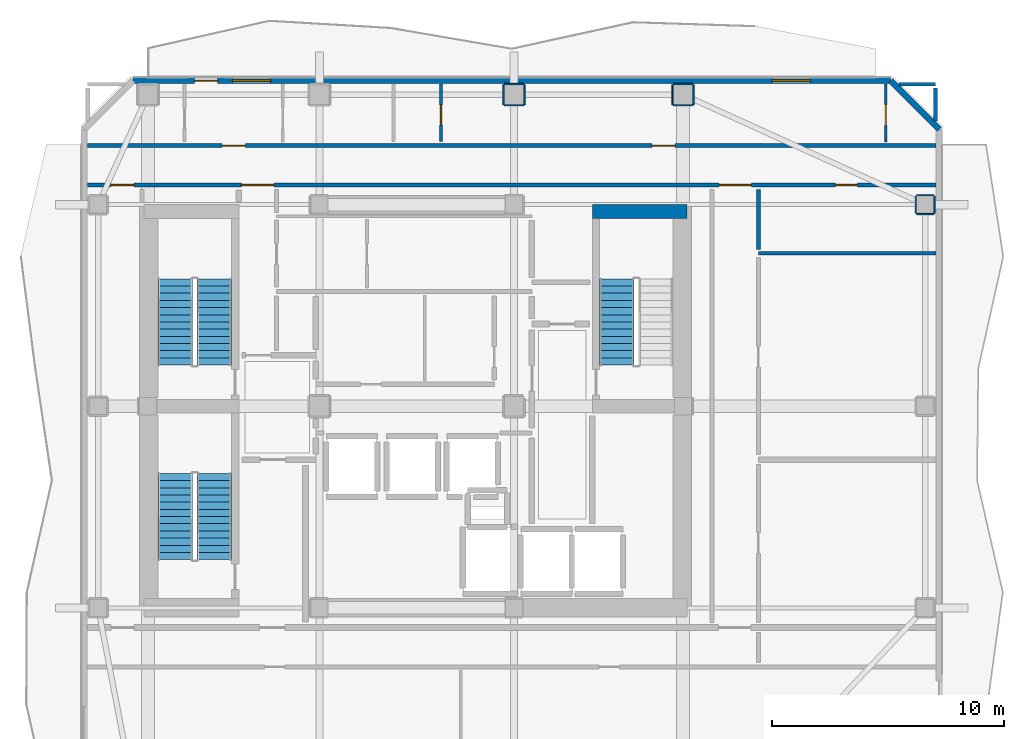
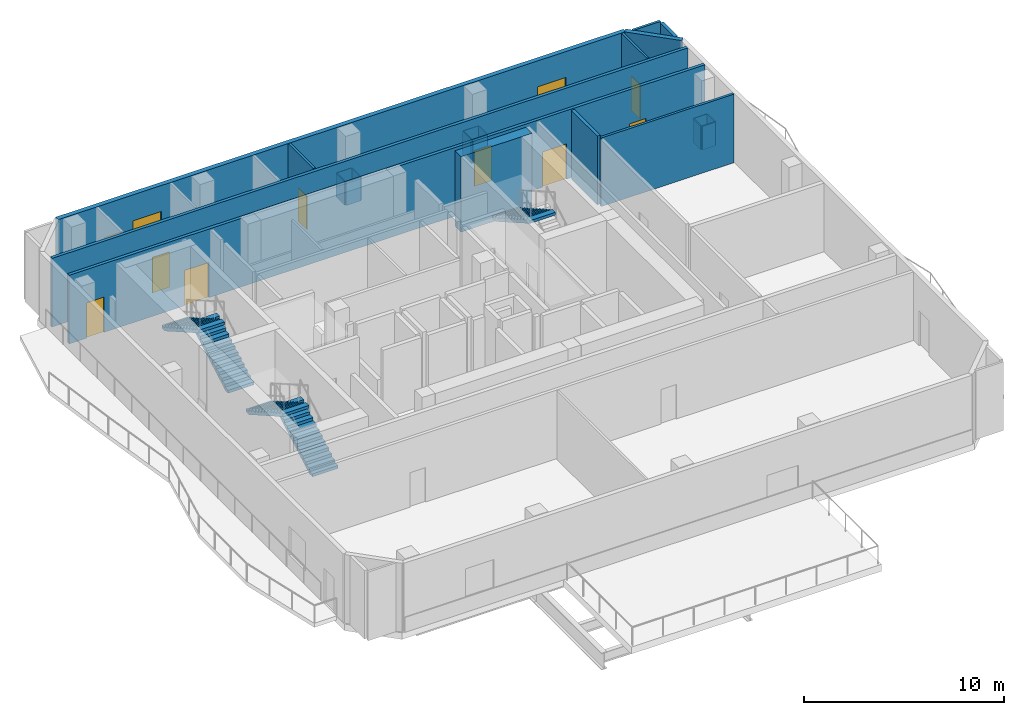
# One storey, part 5 of 10: 23 walls, 9 doors, 5 stair flights, 2 windows, 11 openings, 3 elements without a shape of their own.
"""IFC4 building model written with IfcOpenShell, lengths in metres."""

from ifc_helpers import new_model, si_unit, direction, frame, frame_2d, origin, place, context, subcontext, project, spatial, polyline, rectangle, outline, extrude, material, layer, layer_set, type_object, element, fill, aggregate, save


model = new_model("IFC4")

# Units and contexts
model_context = context("Model", 3, precision=1e-05, world=origin(), true_north=direction((0.0, 1.0)))
body_context = subcontext(model_context, "Body", "Model", "MODEL_VIEW")
ifc_project = project(units=[si_unit("LENGTHUNIT", "METRE"), si_unit("AREAUNIT", "SQUARE_METRE"), si_unit("VOLUMEUNIT", "CUBIC_METRE"), si_unit("PLANEANGLEUNIT", "RADIAN"), si_unit("MASSUNIT", "GRAM", prefix="KILO")], contexts=[model_context])

# Site, building, storey
site_placement = place(None, origin())
site = spatial("IfcSite", under=ifc_project, at=site_placement, CompositionType="ELEMENT")
building_placement = place(site_placement, origin())
building = spatial("IfcBuilding", under=site, at=building_placement, Name="Solanera Arch Residences", CompositionType="ELEMENT")
storey_placement = place(building_placement, frame((0.0, 0.0, 226.679931640625)))
storey = spatial("IfcBuildingStorey", under=building, at=storey_placement, Name="L66", CompositionType="ELEMENT", Elevation=226.679931640625)

# Walls
ifc_material_1 = material(Name="Fire-Rated Gypsum Stud Partition", Category="gypsum")
ifc_layer_1 = layer(ifc_material_1, 0.06005859375)
ifc_layer_set_1 = layer_set([ifc_layer_1], Name="Fire-Rated Gypsum Stud Partition")
wall_type_1 = type_object("IfcWallType", Name="Column Acoustic Furring Wall 60", PredefinedType="PARTITIONING", material=ifc_layer_set_1)
for number, where, z_axis, x_axis, name in (
    (1, (28.77490234375, 43.693115234375, 0.0), (0.0, 0.0, 1.0), (1.0, 0.0, 0.0), "L66 Column Furring 14S"),
    (2, (28.77490234375, 44.60693359375, 0.0), (0.0, 0.0, 1.0), (1.0, 0.0, 0.0), "L66 Column Furring 14N"),
):
    element("IfcWall", number, at=place(storey_placement, frame(where, z_axis=z_axis, x_axis=x_axis)), inside=storey, type_object=wall_type_1, Name=name, PredefinedType="PARTITIONING", context=body_context, shape_type="SweptSolid", body=[
        extrude(rectangle(XDim=0.85009765625, YDim=0.06005859375, at=frame_2d((0.425048828125, 0.0))), origin(), (0.0, 0.0, 1.0), 1.449951171875),
    ])
for number, where, z_axis, x_axis, name in (
    (3, (28.742919921875, 43.72509765625, 0.0), (0.0, 0.0, 1.0), (0.0, 1.0, 0.0), "L66 Column Furring 14W"),
    (4, (29.656982421875, 43.72509765625, 0.0), (0.0, 0.0, 1.0), (0.0, 1.0, 0.0), "L66 Column Furring 14E"),
):
    element("IfcWall", number, at=place(storey_placement, frame(where, z_axis=z_axis, x_axis=x_axis)), inside=storey, type_object=wall_type_1, Name=name, PredefinedType="PARTITIONING", context=body_context, shape_type="SweptSolid", body=[
        extrude(rectangle(XDim=0.849853515625, YDim=0.06005859375, at=frame_2d((0.4248046875, 0.0))), origin(), (0.0, 0.0, 1.0), 1.449951171875),
    ])
for number, where, z_axis, x_axis, name in (
    (5, (36.074951171875, 43.693115234375, 0.0), (0.0, 0.0, 1.0), (1.0, 0.0, 0.0), "L66 Column Furring 16S"),
    (6, (36.074951171875, 44.60693359375, 0.0), (0.0, 0.0, 1.0), (1.0, 0.0, 0.0), "L66 Column Furring 16N"),
):
    element("IfcWall", number, at=place(storey_placement, frame(where, z_axis=z_axis, x_axis=x_axis)), inside=storey, type_object=wall_type_1, Name=name, PredefinedType="PARTITIONING", context=body_context, shape_type="SweptSolid", body=[
        extrude(rectangle(XDim=0.85009765625, YDim=0.06005859375, at=frame_2d((0.425048828125, 0.0))), origin(), (0.0, 0.0, 1.0), 1.449951171875),
    ])
for number, where, z_axis, x_axis, name in (
    (7, (36.04296875, 43.72509765625, 0.0), (0.0, 0.0, 1.0), (0.0, 1.0, 0.0), "L66 Column Furring 16W"),
    (8, (36.95703125, 43.72509765625, 0.0), (0.0, 0.0, 1.0), (0.0, 1.0, 0.0), "L66 Column Furring 16E"),
):
    element("IfcWall", number, at=place(storey_placement, frame(where, z_axis=z_axis, x_axis=x_axis)), inside=storey, type_object=wall_type_1, Name=name, PredefinedType="PARTITIONING", context=body_context, shape_type="SweptSolid", body=[
        extrude(rectangle(XDim=0.849853515625, YDim=0.06005859375, at=frame_2d((0.4248046875, 0.0))), origin(), (0.0, 0.0, 1.0), 1.449951171875),
    ])
for number, where, z_axis, x_axis, name in (
    (9, (46.574951171875, 38.992919921875, 0.0), (0.0, 0.0, 1.0), (1.0, 0.0, 0.0), "L66 Column Furring 22S"),
    (10, (46.574951171875, 39.806884765625, 0.0), (0.0, 0.0, 1.0), (1.0, 0.0, 0.0), "L66 Column Furring 22N"),
    (11, (46.54296875, 39.02490234375, 0.0), (0.0, 0.0, 1.0), (0.0, 1.0, 0.0), "L66 Column Furring 22W"),
    (12, (47.35693359375, 39.02490234375, 0.0), (0.0, 0.0, 1.0), (0.0, 1.0, 0.0), "L66 Column Furring 22E"),
):
    element("IfcWall", number, at=place(storey_placement, frame(where, z_axis=z_axis, x_axis=x_axis)), inside=storey, type_object=wall_type_1, Name=name, PredefinedType="PARTITIONING", context=body_context, shape_type="SweptSolid", body=[
        extrude(rectangle(XDim=0.75, YDim=0.06005859375, at=frame_2d((0.375, 0.0))), origin(), (0.0, 0.0, 1.0), 1.449951171875),
    ])
ifc_material_2 = material(Name="Concrete C40/50 (f'c = 45 MPa)", Category="concrete")
ifc_layer_2 = layer(ifc_material_2, 0.60009765625)
ifc_layer_set_2 = layer_set([ifc_layer_2], Name="Concrete C40/50 (f'c = 45 MPa)")
wall_type_2 = type_object("IfcWallType", Name="Core Shear Wall CW-600", PredefinedType="SHEAR", material=ifc_layer_set_2)
wall_1_placement = place(storey_placement, frame((32.580078125, 39.10009765625, 0.0), z_axis=(0.0, 0.0, 1.0), x_axis=(1.0, 0.0, 0.0)))
element("IfcWall", 13, at=wall_1_placement, inside=storey, type_object=wall_type_2, Name="L66 North-East Core Shear Wall", PredefinedType="SHEAR", context=body_context, shape_type="SweptSolid", body=[
    extrude(rectangle(XDim=4.079833984375, YDim=0.60009765625, at=frame_2d((2.0400390625, 0.0))), origin(), (0.0, 0.0, 1.0), 4.60009765625),
])

# Wall, openings, doors
ifc_material_3 = material(Name="Autoclaved Aerated Concrete Blockwork", Category="masonry")
ifc_layer_3 = layer(ifc_material_3, 0.179931640625)
ifc_layer_set_3 = layer_set([ifc_layer_3], Name="Autoclaved Aerated Concrete Blockwork")
wall_type_3 = type_object("IfcWallType", Name="Corridor Fire Partition 180", PredefinedType="PARTITIONING", material=ifc_layer_set_3)
wall_2_placement = place(storey_placement, frame((10.787109375, 40.25, 0.0), z_axis=(0.0, 0.0, 1.0), x_axis=(1.0, 0.0, 0.0)))
wall_2 = element("IfcWall", 14, at=wall_2_placement, inside=storey, type_object=wall_type_3, Name="L66 Interior Partition H12", PredefinedType="PARTITIONING", context=body_context, shape_type="SweptSolid", body=[
    extrude(rectangle(XDim=36.6259765625, YDim=0.179931640625, at=frame_2d((18.31298828125, 0.0))), origin(), (0.0, 0.0, 1.0), 4.18017578125),
])
opening_1_placement = place(wall_2_placement, frame((6.64794921875, 0.0, 0.0)))
opening_1 = element("IfcOpeningElement", 15, at=opening_1_placement, cuts=wall_2, Name="Opening DF-03", PredefinedType="OPENING", context=body_context, shape_type="SweptSolid", body=[
    extrude(rectangle(XDim=1.39990234375, YDim=2.14990234375, at=frame_2d((0.699951171875, 1.074951171875))), frame((0.0, 0.10009765625, 0.0), z_axis=(0.0, -1.0, 0.0), x_axis=(1.0, 0.0, 0.0)), (0.0, 0.0, 1.0), 0.1999),
])
opening_2_placement = place(wall_2_placement, frame((1.011962890625, 0.0, 0.0)))
opening_2 = element("IfcOpeningElement", 16, at=opening_2_placement, cuts=wall_2, Name="Opening DI-01", PredefinedType="OPENING", context=body_context, shape_type="SweptSolid", body=[
    extrude(rectangle(XDim=1.0, YDim=2.14990234375, at=frame_2d((0.5, 1.074951171875))), frame((0.0, 0.10009765625, 0.0), z_axis=(0.0, -1.0, 0.0), x_axis=(1.0, 0.0, 0.0)), (0.0, 0.0, 1.0), 0.1999),
])
opening_3_placement = place(wall_2_placement, frame((27.262939453125, 0.0, 0.0)))
opening_3 = element("IfcOpeningElement", 17, at=opening_3_placement, cuts=wall_2, Name="Opening DF-03", PredefinedType="OPENING", context=body_context, shape_type="SweptSolid", body=[
    extrude(rectangle(XDim=1.39990234375, YDim=2.14990234375, at=frame_2d((0.699951171875, 1.074951171875))), frame((0.0, 0.10009765625, 0.0), z_axis=(0.0, -1.0, 0.0), x_axis=(1.0, 0.0, 0.0)), (0.0, 0.0, 1.0), 0.1999),
])
opening_4_placement = place(wall_2_placement, frame((32.2890625, 0.0, 0.0)))
opening_4 = element("IfcOpeningElement", 18, at=opening_4_placement, cuts=wall_2, Name="Opening DI-04", PredefinedType="OPENING", context=body_context, shape_type="SweptSolid", body=[
    extrude(rectangle(XDim=0.949951171875, YDim=2.10009765625, at=frame_2d((0.47509765625, 1.050048828125))), frame((0.0, 0.10009765625, 0.0), z_axis=(0.0, -1.0, 0.0), x_axis=(1.0, 0.0, 0.0)), (0.0, 0.0, 1.0), 0.1999),
])
ifc_material_4 = material(Name="Fire-Rated Architectural Hardwood", Category="wood")
door_type_1 = type_object("IfcDoorType", Name="Accessible Restroom Door DI-04", OperationType="NOTDEFINED", PredefinedType="DOOR", material=ifc_material_4)
door_1_placement = place(opening_4_placement, origin())
door_1 = element("IfcDoor", 19, at=door_1_placement, inside=storey, type_object=door_type_1, Name="DR-L66-IN-022", OperationType="SINGLE_SWING_RIGHT", OverallHeight=2.10009765625, OverallWidth=0.949951171875, PredefinedType="DOOR", context=body_context, shape_type="SweptSolid", body=[
    extrude(rectangle(XDim=0.949951171875, YDim=2.10009765625, at=frame_2d((0.47509765625, 1.050048828125))), frame((0.0, 0.02490234375, 0.0), z_axis=(0.0, -1.0, 0.0), x_axis=(1.0, 0.0, 0.0)), (0.0, 0.0, 1.0), 0.050048828125),
])
fill(opening_4, door_1)
ifc_material_5 = material(Name="Fire-Rated Architectural Hardwood", Category="wood")
door_type_2 = type_object("IfcDoorType", Name="Corridor Smoke Door DF-03", OperationType="NOTDEFINED", PredefinedType="DOOR", material=ifc_material_5)
door_2_placement = place(opening_1_placement, origin())
door_2 = element("IfcDoor", 20, at=door_2_placement, inside=storey, type_object=door_type_2, Name="DR-L66-IN-009", OperationType="SINGLE_SWING_LEFT", OverallHeight=2.14990234375, OverallWidth=1.39990234375, PredefinedType="DOOR", context=body_context, shape_type="SweptSolid", body=[
    extrude(rectangle(XDim=1.39990234375, YDim=2.14990234375, at=frame_2d((0.699951171875, 1.074951171875))), frame((0.0, 0.02490234375, 0.0), z_axis=(0.0, -1.0, 0.0), x_axis=(1.0, 0.0, 0.0)), (0.0, 0.0, 1.0), 0.050048828125),
])
fill(opening_1, door_2)
door_3_placement = place(opening_3_placement, origin())
door_3 = element("IfcDoor", 21, at=door_3_placement, inside=storey, type_object=door_type_2, Name="DR-L66-IN-013", OperationType="SINGLE_SWING_LEFT", OverallHeight=2.14990234375, OverallWidth=1.39990234375, PredefinedType="DOOR", context=body_context, shape_type="SweptSolid", body=[
    extrude(rectangle(XDim=1.39990234375, YDim=2.14990234375, at=frame_2d((0.699951171875, 1.074951171875))), frame((0.0, 0.02490234375, 0.0), z_axis=(0.0, -1.0, 0.0), x_axis=(1.0, 0.0, 0.0)), (0.0, 0.0, 1.0), 0.050048828125),
])
fill(opening_3, door_3)
ifc_material_6 = material(Name="Fire-Rated Architectural Hardwood", Category="wood")
door_type_3 = type_object("IfcDoorType", Name="Unit Entrance Fire Door DI-01", OperationType="NOTDEFINED", PredefinedType="DOOR", material=ifc_material_6)
door_4_placement = place(opening_2_placement, origin())
door_4 = element("IfcDoor", 22, at=door_4_placement, inside=storey, type_object=door_type_3, Name="DR-L66-IN-012", OperationType="SINGLE_SWING_RIGHT", OverallHeight=2.14990234375, OverallWidth=1.0, PredefinedType="DOOR", context=body_context, shape_type="SweptSolid", body=[
    extrude(rectangle(XDim=1.0, YDim=2.14990234375, at=frame_2d((0.5, 1.074951171875))), frame((0.0, 0.02490234375, 0.0), z_axis=(0.0, -1.0, 0.0), x_axis=(1.0, 0.0, 0.0)), (0.0, 0.0, 1.0), 0.050048828125),
])
fill(opening_2, door_4)

wall_3_placement = place(storey_placement, frame((10.787109375, 41.949951171875, 0.0), z_axis=(0.0, 0.0, 1.0), x_axis=(1.0, 0.0, 0.0)))
wall_3 = element("IfcWall", 23, at=wall_3_placement, inside=storey, type_object=wall_type_3, Name="L66 Interior Partition H13", PredefinedType="PARTITIONING", context=body_context, shape_type="SweptSolid", body=[
    extrude(rectangle(XDim=36.6259765625, YDim=0.179931640625, at=frame_2d((18.31298828125, 0.0))), origin(), (0.0, 0.0, 1.0), 4.18017578125),
])
opening_5_placement = place(wall_3_placement, frame((5.81298828125, 0.0, 0.0)))
opening_5 = element("IfcOpeningElement", 24, at=opening_5_placement, cuts=wall_3, Name="Opening DI-01", PredefinedType="OPENING", context=body_context, shape_type="SweptSolid", body=[
    extrude(rectangle(XDim=1.0, YDim=2.14990234375, at=frame_2d((0.5, 1.074951171875))), frame((0.0, 0.10009765625, 0.0), z_axis=(0.0, -1.0, 0.0), x_axis=(1.0, 0.0, 0.0)), (0.0, 0.0, 1.0), 0.1999),
])
opening_6_placement = place(wall_3_placement, frame((24.363037109375, 0.0, 0.0)))
opening_6 = element("IfcOpeningElement", 25, at=opening_6_placement, cuts=wall_3, Name="Opening DI-01", PredefinedType="OPENING", context=body_context, shape_type="SweptSolid", body=[
    extrude(rectangle(XDim=1.0, YDim=2.14990234375, at=frame_2d((0.5, 1.074951171875))), frame((0.0, 0.10009765625, 0.0), z_axis=(0.0, -1.0, 0.0), x_axis=(1.0, 0.0, 0.0)), (0.0, 0.0, 1.0), 0.1999),
])
door_5_placement = place(opening_5_placement, origin())
door_5 = element("IfcDoor", 26, at=door_5_placement, inside=storey, type_object=door_type_3, Name="DR-L66-IN-023", OperationType="SINGLE_SWING_LEFT", OverallHeight=2.14990234375, OverallWidth=1.0, PredefinedType="DOOR", context=body_context, shape_type="SweptSolid", body=[
    extrude(rectangle(XDim=1.0, YDim=2.14990234375, at=frame_2d((0.5, 1.074951171875))), frame((0.0, 0.02490234375, 0.0), z_axis=(0.0, -1.0, 0.0), x_axis=(1.0, 0.0, 0.0)), (0.0, 0.0, 1.0), 0.050048828125),
])
fill(opening_5, door_5)
door_6_placement = place(opening_6_placement, origin())
door_6 = element("IfcDoor", 27, at=door_6_placement, inside=storey, type_object=door_type_3, Name="DR-L66-IN-026", OperationType="SINGLE_SWING_RIGHT", OverallHeight=2.14990234375, OverallWidth=1.0, PredefinedType="DOOR", context=body_context, shape_type="SweptSolid", body=[
    extrude(rectangle(XDim=1.0, YDim=2.14990234375, at=frame_2d((0.5, 1.074951171875))), frame((0.0, 0.02490234375, 0.0), z_axis=(0.0, -1.0, 0.0), x_axis=(1.0, 0.0, 0.0)), (0.0, 0.0, 1.0), 0.050048828125),
])
fill(opening_6, door_6)

# Walls
wall_4_placement = place(storey_placement, frame((39.75, 37.468017578125, 0.0), z_axis=(0.0, 0.0, 1.0), x_axis=(0.0, 1.0, 0.0)))
element("IfcWall", 28, at=wall_4_placement, inside=storey, type_object=wall_type_3, Name="L66 Interior Partition V11 4", PredefinedType="PARTITIONING", context=body_context, shape_type="SweptSolid", body=[
    extrude(rectangle(XDim=2.593994140625, YDim=0.179931640625, at=frame_2d((1.296875, 0.0))), origin(), (0.0, 0.0, 1.0), 4.18017578125),
])
wall_5_placement = place(storey_placement, frame((47.39990234375, 43.010986328125, 0.0), z_axis=(0.0, 0.0, 1.0), x_axis=(0.0, 1.0, 0.0)))
element("IfcWall", 29, at=wall_5_placement, inside=storey, type_object=wall_type_3, Name="L66 Interior Partition V13", PredefinedType="PARTITIONING", context=body_context, shape_type="SweptSolid", body=[
    extrude(rectangle(XDim=1.4208984375, YDim=0.179931640625, at=frame_2d((0.71044921875, 0.0))), origin(), (0.0, 0.0, 1.0), 4.18017578125),
])

# Wall, openings, door, windows
ifc_material_7 = material(Name="Precast Concrete C35/45", Category="concrete")
ifc_layer_4 = layer(ifc_material_7, 0.260009765625)
ifc_layer_set_4 = layer_set([ifc_layer_4], Name="Precast Concrete C35/45")
wall_type_4 = type_object("IfcWallType", Name="Exterior Wall Precast Masonry-Frame 260", PredefinedType="STANDARD", material=ifc_layer_set_4)
wall_6_placement = place(storey_placement, frame((12.7451171875, 44.7548828125, 0.0), z_axis=(0.0, 0.0, 1.0), x_axis=(1.0, 0.0, 0.0)))
wall_6 = element("IfcWall", 30, at=wall_6_placement, inside=storey, type_object=wall_type_4, Name="L66 Tower Exterior Precast Masonry-Frame Wall N", PredefinedType="STANDARD", context=body_context, shape_type="SweptSolid", body=[
    extrude(rectangle(XDim=32.7099609375, YDim=0.260009765625, at=frame_2d((16.35498046875, 0.0))), origin(), (0.0, 0.0, 1.0), 4.18017578125),
])
opening_7_placement = place(wall_6_placement, frame((2.6650390625, 0.0, 0.0)))
opening_7 = element("IfcOpeningElement", 31, at=opening_7_placement, cuts=wall_6, Name="Opening DB-01", PredefinedType="OPENING", context=body_context, shape_type="SweptSolid", body=[
    extrude(rectangle(XDim=1.0, YDim=2.14990234375, at=frame_2d((0.5, 1.074951171875))), frame((0.0, 0.139892578125, 0.0), z_axis=(0.0, -1.0, 0.0), x_axis=(1.0, 0.0, 0.0)), (0.0, 0.0, 1.0), 0.28),
])
opening_8_placement = place(wall_6_placement, frame((4.294921875, 0.0, 0.85009765625)))
opening_8 = element("IfcOpeningElement", 32, at=opening_8_placement, cuts=wall_6, Name="Opening W-08", PredefinedType="OPENING", context=body_context, shape_type="SweptSolid", body=[
    extrude(rectangle(XDim=1.64990234375, YDim=1.75, at=frame_2d((0.824951171875, 0.875))), frame((0.0, 0.139892578125, 0.0), z_axis=(0.0, -1.0, 0.0), x_axis=(1.0, 0.0, 0.0)), (0.0, 0.0, 1.0), 0.28),
])
opening_9_placement = place(wall_6_placement, frame((27.60009765625, 0.0, 0.85009765625)))
opening_9 = element("IfcOpeningElement", 33, at=opening_9_placement, cuts=wall_6, Name="Opening W-08", PredefinedType="OPENING", context=body_context, shape_type="SweptSolid", body=[
    extrude(rectangle(XDim=1.64990234375, YDim=1.75, at=frame_2d((0.824951171875, 0.875))), frame((0.0, 0.139892578125, 0.0), z_axis=(0.0, -1.0, 0.0), x_axis=(1.0, 0.0, 0.0)), (0.0, 0.0, 1.0), 0.28),
])
ifc_material_8 = material(Name="Anodised Aluminium Alloy 6063-T6", Category="aluminium")
door_type_4 = type_object("IfcDoorType", Name="Glazed Balcony Swing Door DB-01", OperationType="NOTDEFINED", PredefinedType="DOOR", material=ifc_material_8)
door_7_placement = place(opening_7_placement, origin())
door_7 = element("IfcDoor", 34, at=door_7_placement, inside=storey, type_object=door_type_4, Name="DR-L66-OUT-01", OperationType="SINGLE_SWING_RIGHT", OverallHeight=2.14990234375, OverallWidth=1.0, PredefinedType="DOOR", context=body_context, shape_type="SweptSolid", body=[
    extrude(rectangle(XDim=1.0, YDim=2.14990234375, at=frame_2d((0.5, 1.074951171875))), frame((0.0, 0.02490234375, 0.0), z_axis=(0.0, -1.0, 0.0), x_axis=(1.0, 0.0, 0.0)), (0.0, 0.0, 1.0), 0.050048828125),
])
fill(opening_7, door_7)
ifc_material_9 = material(Name="Double Glazed Low-E Laminated Glass", Category="glass")
window_type = type_object("IfcWindowType", Name="Punched Window W-08", PartitioningType="DOUBLE_PANEL_HORIZONTAL", PredefinedType="WINDOW", material=ifc_material_9)
window_1_placement = place(opening_8_placement, origin())
window_1 = element("IfcWindow", 35, at=window_1_placement, inside=storey, type_object=window_type, Name="L66 6601-LIV Punched Window", OverallHeight=1.75, OverallWidth=1.64990234375, PartitioningType="SINGLE_PANEL", PredefinedType="WINDOW", context=body_context, shape_type="SweptSolid", body=[
    extrude(rectangle(XDim=1.64990234375, YDim=1.75, at=frame_2d((0.824951171875, 0.875))), frame((0.0, 0.030029296875, 0.0), z_axis=(0.0, -1.0, 0.0), x_axis=(1.0, 0.0, 0.0)), (0.0, 0.0, 1.0), 0.06005859375),
])
fill(opening_8, window_1)
window_2_placement = place(opening_9_placement, origin())
window_2 = element("IfcWindow", 36, at=window_2_placement, inside=storey, type_object=window_type, Name="L66 6602-LIV Punched Window", OverallHeight=1.75, OverallWidth=1.64990234375, PartitioningType="SINGLE_PANEL", PredefinedType="WINDOW", context=body_context, shape_type="SweptSolid", body=[
    extrude(rectangle(XDim=1.64990234375, YDim=1.75, at=frame_2d((0.824951171875, 0.875))), frame((0.0, 0.030029296875, 0.0), z_axis=(0.0, -1.0, 0.0), x_axis=(1.0, 0.0, 0.0)), (0.0, 0.0, 1.0), 0.06005859375),
])
fill(opening_9, window_2)

# Wall
wall_7_placement = place(storey_placement, frame((45.455078125, 44.7548828125, 0.0), z_axis=(0.0, 0.0, 1.0), x_axis=(0.707106781187, -0.707106781187, 0.0)))
element("IfcWall", 37, at=wall_7_placement, inside=storey, type_object=wall_type_4, Name="L66 Tower Exterior Precast Masonry-Frame Wall CH3", PredefinedType="STANDARD", context=body_context, shape_type="SweptSolid", body=[
    extrude(rectangle(XDim=2.9697265625, YDim=0.260009765625, at=frame_2d((1.48486328125, 0.0))), origin(), (0.0, 0.0, 1.0), 4.18017578125),
])

# Wall, opening, door
ifc_material_10 = material(Name="Fire-Rated Gypsum Stud Partition", Category="gypsum")
ifc_layer_5 = layer(ifc_material_10, 0.1201171875)
ifc_layer_set_5 = layer_set([ifc_layer_5], Name="Fire-Rated Gypsum Stud Partition")
wall_type_5 = type_object("IfcWallType", Name="Unit Drywall Partition 120", PredefinedType="PARTITIONING", material=ifc_layer_set_5)
wall_8_placement = place(storey_placement, frame((45.25, 42.10791015625, 0.0), z_axis=(0.0, 0.0, 1.0), x_axis=(0.0, 1.0, 0.0)))
wall_8 = element("IfcWall", 38, at=wall_8_placement, inside=storey, type_object=wall_type_5, Name="L66 Interior Partition V21", PredefinedType="PARTITIONING", context=body_context, shape_type="SweptSolid", body=[
    extrude(rectangle(XDim=2.505126953125, YDim=0.1201171875, at=frame_2d((1.25244140625, 0.0))), origin(), (0.0, 0.0, 1.0), 4.18017578125),
])
opening_10_placement = place(wall_8_placement, frame((0.717041015625, 0.0, 0.0)))
opening_10 = element("IfcOpeningElement", 39, at=opening_10_placement, cuts=wall_8, Name="Opening DI-02", PredefinedType="OPENING", context=body_context, shape_type="SweptSolid", body=[
    extrude(rectangle(XDim=0.89990234375, YDim=2.10009765625, at=frame_2d((0.449951171875, 1.050048828125))), frame((0.0, 0.070068359375, 0.0), z_axis=(0.0, -1.0, 0.0), x_axis=(1.0, 0.0, 0.0)), (0.0, 0.0, 1.0), 0.1401),
])
ifc_material_11 = material(Name="Fire-Rated Architectural Hardwood", Category="wood")
door_type_5 = type_object("IfcDoorType", Name="Suite Room Swing Door DI-02", OperationType="NOTDEFINED", PredefinedType="DOOR", material=ifc_material_11)
door_8_placement = place(opening_10_placement, origin())
door_8 = element("IfcDoor", 40, at=door_8_placement, inside=storey, type_object=door_type_5, Name="DR-L66-IN-028", OperationType="SINGLE_SWING_RIGHT", OverallHeight=2.10009765625, OverallWidth=0.89990234375, PredefinedType="DOOR", context=body_context, shape_type="SweptSolid", body=[
    extrude(rectangle(XDim=0.89990234375, YDim=2.10009765625, at=frame_2d((0.449951171875, 1.050048828125))), frame((0.0, 0.02490234375, 0.0), z_axis=(0.0, -1.0, 0.0), x_axis=(1.0, 0.0, 0.0)), (0.0, 0.0, 1.0), 0.050048828125),
])
fill(opening_10, door_8)

# Walls
ifc_material_12 = material(Name="Autoclaved Aerated Concrete Blockwork", Category="masonry")
ifc_layer_6 = layer(ifc_material_12, 0.139892578125)
ifc_layer_set_6 = layer_set([ifc_layer_6], Name="Autoclaved Aerated Concrete Blockwork")
wall_type_6 = type_object("IfcWallType", Name="Wet-Room Partition 140", PredefinedType="PARTITIONING", material=ifc_layer_set_6)
wall_9_placement = place(storey_placement, frame((39.75, 37.300048828125, 0.0), z_axis=(0.0, 0.0, 1.0), x_axis=(1.0, 0.0, 0.0)))
element("IfcWall", 41, at=wall_9_placement, inside=storey, type_object=wall_type_6, Name="L66 Interior Partition H14", PredefinedType="PARTITIONING", context=body_context, shape_type="SweptSolid", body=[
    extrude(rectangle(XDim=7.6630859375, YDim=0.139892578125, at=frame_2d((3.83154296875, 0.0))), origin(), (0.0, 0.0, 1.0), 4.18017578125),
])
wall_10_placement = place(storey_placement, frame((45.81103515625, 44.60009765625, 0.0), z_axis=(0.0, 0.0, 1.0), x_axis=(1.0, 0.0, 0.0)))
element("IfcWall", 42, at=wall_10_placement, inside=storey, type_object=wall_type_6, Name="L66 Interior Partition H15 2", PredefinedType="PARTITIONING", context=body_context, shape_type="SweptSolid", body=[
    extrude(rectangle(XDim=1.5888671875, YDim=0.139892578125, at=frame_2d((0.79443359375, 0.0))), origin(), (0.0, 0.0, 1.0), 4.18017578125),
])

# Wall, opening, door
wall_11_placement = place(storey_placement, frame((26.050048828125, 42.117919921875, 0.0), z_axis=(0.0, 0.0, 1.0), x_axis=(0.0, 1.0, 0.0)))
wall_11 = element("IfcWall", 43, at=wall_11_placement, inside=storey, type_object=wall_type_6, Name="L66 Interior Partition V16", PredefinedType="PARTITIONING", context=body_context, shape_type="SweptSolid", body=[
    extrude(rectangle(XDim=2.4951171875, YDim=0.139892578125, at=frame_2d((1.24755859375, 0.0))), origin(), (0.0, 0.0, 1.0), 4.18017578125),
])
opening_11_placement = place(wall_11_placement, frame((0.72705078125, 0.0, 0.0)))
opening_11 = element("IfcOpeningElement", 44, at=opening_11_placement, cuts=wall_11, Name="Opening DI-05", PredefinedType="OPENING", context=body_context, shape_type="SweptSolid", body=[
    extrude(rectangle(XDim=0.860107421875, YDim=2.02001953125, at=frame_2d((0.43017578125, 1.010009765625))), frame((0.0, 0.079833984375, 0.0), z_axis=(0.0, -1.0, 0.0), x_axis=(1.0, 0.0, 0.0)), (0.0, 0.0, 1.0), 0.1599),
])
ifc_material_13 = material(Name="Fire-Rated Architectural Hardwood", Category="wood")
door_type_6 = type_object("IfcDoorType", Name="Bathroom Swing Door DI-05", OperationType="NOTDEFINED", PredefinedType="DOOR", material=ifc_material_13)
door_9_placement = place(opening_11_placement, origin())
door_9 = element("IfcDoor", 45, at=door_9_placement, inside=storey, type_object=door_type_6, Name="DR-L66-IN-027", OperationType="SINGLE_SWING_LEFT", OverallHeight=2.02001953125, OverallWidth=0.860107421875, PredefinedType="DOOR", context=body_context, shape_type="SweptSolid", body=[
    extrude(rectangle(XDim=0.860107421875, YDim=2.02001953125, at=frame_2d((0.43017578125, 1.010009765625))), frame((0.0, 0.02490234375, 0.0), z_axis=(0.0, -1.0, 0.0), x_axis=(1.0, 0.0, 0.0)), (0.0, 0.0, 1.0), 0.050048828125),
])
fill(opening_11, door_9)

# Stair, stair flights
ifc_material_14 = material(Name="Concrete C40/50 (f'c = 45 MPa)", Category="concrete")
stair_type = type_object("IfcStairType", Name="Tower Dogleg Exit Stair 1480", PredefinedType="HALF_TURN_STAIR", material=ifc_material_14)
stair_1_placement = place(storey_placement, origin())
stair_1 = element("IfcStair", 46, at=stair_1_placement, inside=storey, type_object=stair_type, Name="L66 Tower Core Exit Stair 1", PredefinedType="HALF_TURN_STAIR")
ifc_material_15 = material(Name="Concrete C40/50 (f'c = 45 MPa)", Category="concrete")
stair_flight_type = type_object("IfcStairFlightType", Name="Tower Precast Stair Flight 1480", PredefinedType="STRAIGHT", material=ifc_material_15)
stair_flight_1_placement = place(storey_placement, frame((16.260009765625, 32.47998046875, 0.0), z_axis=(0.0, 0.0, 1.0), x_axis=(0.0, 1.0, 0.0)))
stair_flight_1 = element("IfcStairFlight", 47, at=stair_flight_1_placement, type_object=stair_flight_type, Name="ST-T1 flight 1", NumberOfRisers=13, NumberOfTreads=12, PredefinedType="STRAIGHT", RiserHeight=0.176923077, TreadLength=0.31, context=body_context, shape_type="SweptSolid", body=[
    extrude(outline(polyline([(0.0, 0.0), (0.0, 0.177001953125), (0.31005859375, 0.177001953125), (0.31005859375, 0.353759765625), (0.6201171875, 0.353759765625), (0.6201171875, 0.53076171875), (0.929931640625, 0.53076171875), (0.929931640625, 0.707763671875), (1.239990234375, 0.707763671875), (1.239990234375, 0.884521484375), (1.550048828125, 0.884521484375), (1.550048828125, 1.0615234375), (1.860107421875, 1.0615234375), (1.860107421875, 1.238525390625), (2.169921875, 1.238525390625), (2.169921875, 1.415283203125), (2.47998046875, 1.415283203125), (2.47998046875, 1.59228515625), (2.7900390625, 1.59228515625), (2.7900390625, 1.769287109375), (3.10009765625, 1.769287109375), (3.10009765625, 1.946044921875), (3.409912109375, 1.946044921875), (3.409912109375, 2.123046875), (3.719970703125, 2.123046875), (3.719970703125, 2.300048828125), (3.719970703125, 1.950439453125), (0.302490234375, 0.0), (0.0, 0.0)])), frame((0.0, 0.739990234375, 0.0), z_axis=(0.0, -1.0, 0.0), x_axis=(1.0, 0.0, 0.0)), (0.0, 0.0, 1.0), 1.47998046875),
])
stair_flight_2_placement = place(storey_placement, frame((14.580078125, 36.199951171875, 2.300048828125), z_axis=(0.0, 0.0, 1.0), x_axis=(0.0, -1.0, 0.0)))
stair_flight_2 = element("IfcStairFlight", 48, at=stair_flight_2_placement, type_object=stair_flight_type, Name="ST-T1 flight 2", NumberOfRisers=13, NumberOfTreads=12, PredefinedType="STRAIGHT", RiserHeight=0.176923077, TreadLength=0.31, context=body_context, shape_type="SweptSolid", body=[
    extrude(outline(polyline([(0.0, 0.0), (0.0, 0.177001953125), (0.31005859375, 0.177001953125), (0.31005859375, 0.353759765625), (0.6201171875, 0.353759765625), (0.6201171875, 0.53076171875), (0.929931640625, 0.53076171875), (0.929931640625, 0.707763671875), (1.239990234375, 0.707763671875), (1.239990234375, 0.884521484375), (1.550048828125, 0.884521484375), (1.550048828125, 1.0615234375), (1.860107421875, 1.0615234375), (1.860107421875, 1.238525390625), (2.169921875, 1.238525390625), (2.169921875, 1.415283203125), (2.47998046875, 1.415283203125), (2.47998046875, 1.59228515625), (2.7900390625, 1.59228515625), (2.7900390625, 1.769287109375), (3.10009765625, 1.769287109375), (3.10009765625, 1.946044921875), (3.409912109375, 1.946044921875), (3.409912109375, 2.123046875), (3.719970703125, 2.123046875), (3.719970703125, 2.300048828125), (3.719970703125, 1.950439453125), (0.302490234375, 0.0), (0.0, 0.0)])), frame((0.0, 0.739990234375, 0.0), z_axis=(0.0, -1.0, 0.0), x_axis=(1.0, 0.0, 0.0)), (0.0, 0.0, 1.0), 1.47998046875),
])
aggregate(stair_1, [stair_flight_1, stair_flight_2])

# Stair, stair flight
stair_2_placement = place(storey_placement, origin())
stair_2 = element("IfcStair", 49, at=stair_2_placement, inside=storey, type_object=stair_type, Name="L66 Tower Core Exit Stair 2", PredefinedType="HALF_TURN_STAIR")
stair_flight_3_placement = place(storey_placement, frame((33.639892578125, 36.199951171875, 2.300048828125), z_axis=(0.0, 0.0, 1.0), x_axis=(0.0, -1.0, 0.0)))
stair_flight_3 = element("IfcStairFlight", 50, at=stair_flight_3_placement, type_object=stair_flight_type, Name="ST-T2 flight 2", NumberOfRisers=13, NumberOfTreads=12, PredefinedType="STRAIGHT", RiserHeight=0.176923077, TreadLength=0.31, context=body_context, shape_type="SweptSolid", body=[
    extrude(outline(polyline([(0.0, 0.0), (0.0, 0.177001953125), (0.31005859375, 0.177001953125), (0.31005859375, 0.353759765625), (0.6201171875, 0.353759765625), (0.6201171875, 0.53076171875), (0.929931640625, 0.53076171875), (0.929931640625, 0.707763671875), (1.239990234375, 0.707763671875), (1.239990234375, 0.884521484375), (1.550048828125, 0.884521484375), (1.550048828125, 1.0615234375), (1.860107421875, 1.0615234375), (1.860107421875, 1.238525390625), (2.169921875, 1.238525390625), (2.169921875, 1.415283203125), (2.47998046875, 1.415283203125), (2.47998046875, 1.59228515625), (2.7900390625, 1.59228515625), (2.7900390625, 1.769287109375), (3.10009765625, 1.769287109375), (3.10009765625, 1.946044921875), (3.409912109375, 1.946044921875), (3.409912109375, 2.123046875), (3.719970703125, 2.123046875), (3.719970703125, 2.300048828125), (3.719970703125, 1.950439453125), (0.302490234375, 0.0), (0.0, 0.0)])), frame((0.0, 0.739990234375, 0.0), z_axis=(0.0, -1.0, 0.0), x_axis=(1.0, 0.0, 0.0)), (0.0, 0.0, 1.0), 1.47998046875),
])
aggregate(stair_2, [stair_flight_3])

# Stair, stair flights
stair_3_placement = place(storey_placement, origin())
stair_3 = element("IfcStair", 51, at=stair_3_placement, inside=storey, type_object=stair_type, Name="L66 Tower Core Exit Stair 3", PredefinedType="HALF_TURN_STAIR")
stair_flight_4_placement = place(storey_placement, frame((16.260009765625, 24.080078125, 0.0), z_axis=(0.0, 0.0, 1.0), x_axis=(0.0, 1.0, 0.0)))
stair_flight_4 = element("IfcStairFlight", 52, at=stair_flight_4_placement, type_object=stair_flight_type, Name="ST-T3 flight 1", NumberOfRisers=13, NumberOfTreads=12, PredefinedType="STRAIGHT", RiserHeight=0.176923077, TreadLength=0.31, context=body_context, shape_type="SweptSolid", body=[
    extrude(outline(polyline([(0.0, 0.0), (0.0, 0.177001953125), (0.31005859375, 0.177001953125), (0.31005859375, 0.353759765625), (0.6201171875, 0.353759765625), (0.6201171875, 0.53076171875), (0.929931640625, 0.53076171875), (0.929931640625, 0.707763671875), (1.239990234375, 0.707763671875), (1.239990234375, 0.884521484375), (1.550048828125, 0.884521484375), (1.550048828125, 1.0615234375), (1.860107421875, 1.0615234375), (1.860107421875, 1.238525390625), (2.169921875, 1.238525390625), (2.169921875, 1.415283203125), (2.47998046875, 1.415283203125), (2.47998046875, 1.59228515625), (2.7900390625, 1.59228515625), (2.7900390625, 1.769287109375), (3.10009765625, 1.769287109375), (3.10009765625, 1.946044921875), (3.409912109375, 1.946044921875), (3.409912109375, 2.123046875), (3.719970703125, 2.123046875), (3.719970703125, 2.300048828125), (3.719970703125, 1.950439453125), (0.302490234375, 0.0), (0.0, 0.0)])), frame((0.0, 0.739990234375, 0.0), z_axis=(0.0, -1.0, 0.0), x_axis=(1.0, 0.0, 0.0)), (0.0, 0.0, 1.0), 1.47998046875),
])
stair_flight_5_placement = place(storey_placement, frame((14.580078125, 27.800048828125, 2.300048828125), z_axis=(0.0, 0.0, 1.0), x_axis=(0.0, -1.0, 0.0)))
stair_flight_5 = element("IfcStairFlight", 53, at=stair_flight_5_placement, type_object=stair_flight_type, Name="ST-T3 flight 2", NumberOfRisers=13, NumberOfTreads=12, PredefinedType="STRAIGHT", RiserHeight=0.176923077, TreadLength=0.31, context=body_context, shape_type="SweptSolid", body=[
    extrude(outline(polyline([(0.0, 0.0), (0.0, 0.177001953125), (0.31005859375, 0.177001953125), (0.31005859375, 0.353759765625), (0.6201171875, 0.353759765625), (0.6201171875, 0.53076171875), (0.929931640625, 0.53076171875), (0.929931640625, 0.707763671875), (1.239990234375, 0.707763671875), (1.239990234375, 0.884521484375), (1.550048828125, 0.884521484375), (1.550048828125, 1.0615234375), (1.860107421875, 1.0615234375), (1.860107421875, 1.238525390625), (2.169921875, 1.238525390625), (2.169921875, 1.415283203125), (2.47998046875, 1.415283203125), (2.47998046875, 1.59228515625), (2.7900390625, 1.59228515625), (2.7900390625, 1.769287109375), (3.10009765625, 1.769287109375), (3.10009765625, 1.946044921875), (3.409912109375, 1.946044921875), (3.409912109375, 2.123046875), (3.719970703125, 2.123046875), (3.719970703125, 2.300048828125), (3.719970703125, 1.950439453125), (0.302490234375, 0.0), (0.0, 0.0)])), frame((0.0, 0.739990234375, 0.0), z_axis=(0.0, -1.0, 0.0), x_axis=(1.0, 0.0, 0.0)), (0.0, 0.0, 1.0), 1.47998046875),
])
aggregate(stair_3, [stair_flight_4, stair_flight_5])

save(model, "model.ifc")
